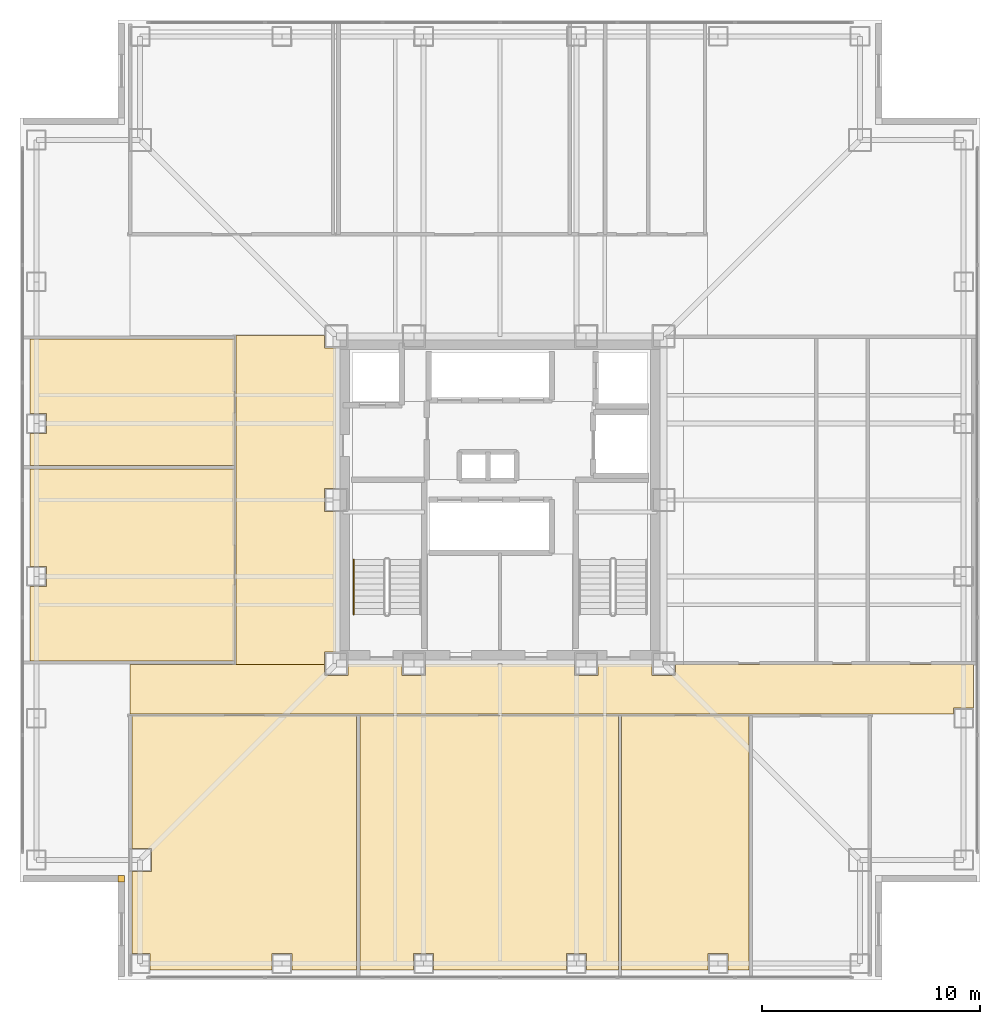
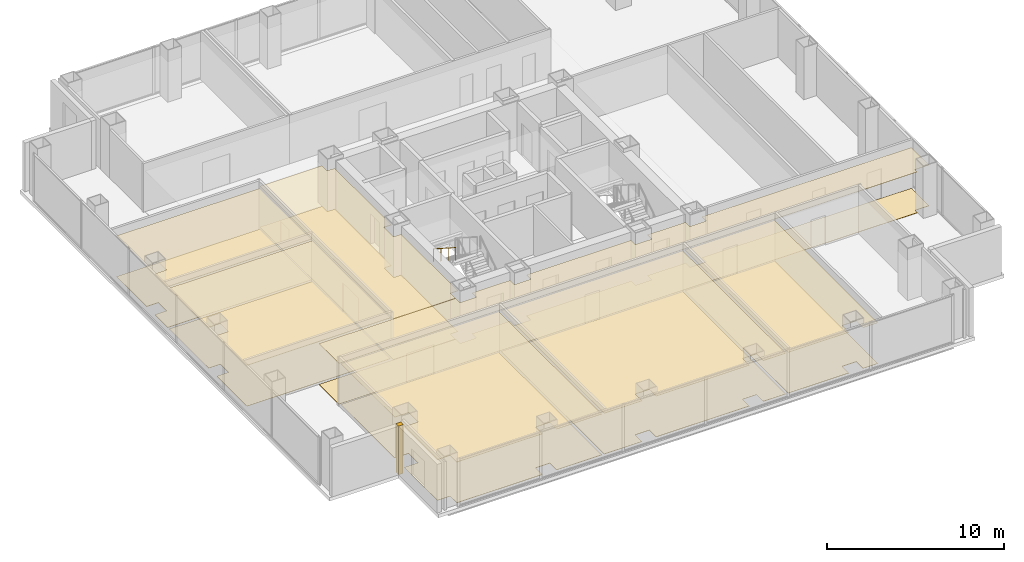
# One storey, part 12 of 14: 15 coverings, 1 railing.
"""IFC4 building model written with IfcOpenShell, lengths in metres."""

from ifc_helpers import new_model, si_unit, direction, frame, origin, origin_2d, place, context, subcontext, project, spatial, polyline, circle, outline, extrude, material, layer, layer_set, type_object, element, save


model = new_model("IFC4")

# Units and contexts
model_context = context("Model", 3, precision=1e-05, world=origin(), true_north=direction((0.0, 1.0)))
body_context = subcontext(model_context, "Body", "Model", "MODEL_VIEW")
ifc_project = project(units=[si_unit("LENGTHUNIT", "METRE"), si_unit("AREAUNIT", "SQUARE_METRE"), si_unit("VOLUMEUNIT", "CUBIC_METRE"), si_unit("PLANEANGLEUNIT", "RADIAN"), si_unit("MASSUNIT", "GRAM", prefix="KILO")], contexts=[model_context])

# Site, building, storey
site_placement = place(None, origin())
site = spatial("IfcSite", under=ifc_project, at=site_placement, CompositionType="ELEMENT")
building_placement = place(site_placement, origin())
building = spatial("IfcBuilding", under=site, at=building_placement, Name="Trevonay Congress Spire", CompositionType="ELEMENT")
storey_placement = place(building_placement, frame((0.0, 0.0, 119.199951171875)))
storey = spatial("IfcBuildingStorey", under=building, at=storey_placement, Name="L30", CompositionType="ELEMENT", Elevation=119.199951171875)

# Coverings
ifc_material_1 = material(Name="Acoustic Mineral Fibre Board", Category="gypsum")
ifc_layer_1 = layer(ifc_material_1, 0.02490234375, Name="Acoustic Mineral Fibre Board")
ifc_layer_set_1 = layer_set([ifc_layer_1], Name="Acoustic Mineral Fibre Board")
covering_type_1 = type_object("IfcCoveringType", Name="COV-CEIL-ACOUSTIC", PredefinedType="CEILING", material=ifc_layer_set_1)
covering_1_placement = place(storey_placement, frame((0.0, 0.0, 2.81005859375)))
element("IfcCovering", 1, at=covering_1_placement, inside=storey, type_object=covering_type_1, Name="L30 Congress South Spine Corridor acoustic suspended ceiling", PredefinedType="CEILING", context=body_context, shape_type="SweptSolid", body=[
    extrude(outline(polyline([(-16.949951171875, -9.800048828125), (-16.949951171875, -7.550048828125), (-8.034912109375, -7.550048828125), (-8.034912109375, -8.034912109375), (-6.965087890625, -8.034912109375), (-6.965087890625, -7.550048828125), (-4.485107421875, -7.550048828125), (-4.485107421875, -8.034912109375), (-3.4150390625, -8.034912109375), (-3.4150390625, -7.550048828125), (3.4150390625, -7.550048828125), (3.4150390625, -8.034912109375), (4.485107421875, -8.034912109375), (4.485107421875, -7.550048828125), (6.965087890625, -7.550048828125), (6.965087890625, -8.034912109375), (8.034912109375, -8.034912109375), (8.034912109375, -7.550048828125), (21.699951171875, -7.550048828125), (21.699951171875, -9.5400390625), (20.7900390625, -9.5400390625), (20.7900390625, -9.800048828125), (-16.949951171875, -9.800048828125)])), origin(), (0.0, 0.0, 1.0), 0.02490234375),
])
covering_2_placement = place(storey_placement, frame((0.0, 0.0, 2.81005859375)))
element("IfcCovering", 2, at=covering_2_placement, inside=storey, type_object=covering_type_1, Name="L30 West Sky Promenade Salon acoustic suspended ceiling", PredefinedType="CEILING", context=body_context, shape_type="SweptSolid", body=[
    extrude(outline(polyline([(-12.10009765625, 7.550048828125), (-8.034912109375, 7.550048828125), (-8.034912109375, 6.965087890625), (-7.550048828125, 6.965087890625), (-7.550048828125, 0.534912109375), (-8.034912109375, 0.534912109375), (-8.034912109375, -0.534912109375), (-7.550048828125, -0.534912109375), (-7.550048828125, -6.965087890625), (-8.034912109375, -6.965087890625), (-8.034912109375, -7.5400390625), (-12.10009765625, -7.5400390625), (-12.10009765625, 7.550048828125)])), origin(), (0.0, 0.0, 1.0), 0.02490234375),
])
covering_3_placement = place(storey_placement, frame((0.0, 0.0, 2.81005859375)))
element("IfcCovering", 3, at=covering_3_placement, inside=storey, type_object=covering_type_1, Name="L30 Delegates Dining Restaurant West acoustic suspended ceiling", PredefinedType="CEILING", context=body_context, shape_type="SweptSolid", body=[
    extrude(outline(polyline([(-16.0400390625, -21.550048828125), (-16.0400390625, -20.7900390625), (-16.8701171875, -20.7900390625), (-16.8701171875, -17.034912109375), (-15.965087890625, -17.034912109375), (-15.965087890625, -15.965087890625), (-16.8701171875, -15.965087890625), (-16.8701171875, -9.8798828125), (-6.580078125, -9.8798828125), (-6.580078125, -21.550048828125), (-9.5400390625, -21.550048828125), (-9.5400390625, -20.7900390625), (-10.4599609375, -20.7900390625), (-10.4599609375, -21.550048828125), (-16.0400390625, -21.550048828125)])), origin(), (0.0, 0.0, 1.0), 0.02490234375),
])
covering_4_placement = place(storey_placement, frame((0.0, 0.0, 2.81005859375)))
element("IfcCovering", 4, at=covering_4_placement, inside=storey, type_object=covering_type_1, Name="L30 Culinary Archive Office acoustic suspended ceiling", PredefinedType="CEILING", context=body_context, shape_type="SweptSolid", body=[
    extrude(outline(polyline([(-6.419921875, -21.550048828125), (-6.419921875, -9.8798828125), (5.419921875, -9.8798828125), (5.419921875, -21.550048828125), (3.9599609375, -21.550048828125), (3.9599609375, -20.7900390625), (3.0400390625, -20.7900390625), (3.0400390625, -21.550048828125), (-3.0400390625, -21.550048828125), (-3.0400390625, -20.7900390625), (-3.9599609375, -20.7900390625), (-3.9599609375, -21.550048828125), (-6.419921875, -21.550048828125)])), origin(), (0.0, 0.0, 1.0), 0.02490234375),
])
covering_5_placement = place(storey_placement, frame((0.0, 0.0, 2.81005859375)))
element("IfcCovering", 5, at=covering_5_placement, inside=storey, type_object=covering_type_1, Name="L30 Main Finishing Kitchen acoustic suspended ceiling", PredefinedType="CEILING", context=body_context, shape_type="SweptSolid", body=[
    extrude(outline(polyline([(5.580078125, -21.550048828125), (5.580078125, -9.8798828125), (11.419921875, -9.8798828125), (11.419921875, -21.550048828125), (10.4599609375, -21.550048828125), (10.4599609375, -20.7900390625), (9.5400390625, -20.7900390625), (9.5400390625, -21.550048828125), (5.580078125, -21.550048828125)])), origin(), (0.0, 0.0, 1.0), 0.02490234375),
])
covering_6_placement = place(storey_placement, frame((0.0, 0.0, 2.81005859375)))
element("IfcCovering", 6, at=covering_6_placement, inside=storey, type_object=covering_type_1, Name="L30 Delegates Club Lounge acoustic suspended ceiling", PredefinedType="CEILING", context=body_context, shape_type="SweptSolid", body=[
    extrude(outline(polyline([(-21.550048828125, 1.419921875), (-12.179931640625, 1.419921875), (-12.179931640625, -7.3701171875), (-21.550048828125, -7.3701171875), (-21.550048828125, -3.9599609375), (-20.7900390625, -3.9599609375), (-20.7900390625, -3.0400390625), (-21.550048828125, -3.0400390625), (-21.550048828125, 1.419921875)])), origin(), (0.0, 0.0, 1.0), 0.02490234375),
])
covering_7_placement = place(storey_placement, frame((0.0, 0.0, 2.81005859375)))
element("IfcCovering", 7, at=covering_7_placement, inside=storey, type_object=covering_type_1, Name="L30 Sommelier Bar acoustic suspended ceiling", PredefinedType="CEILING", context=body_context, shape_type="SweptSolid", body=[
    extrude(outline(polyline([(-21.550048828125, 7.3701171875), (-12.179931640625, 7.3701171875), (-12.179931640625, 1.580078125), (-21.550048828125, 1.580078125), (-21.550048828125, 3.0400390625), (-20.7900390625, 3.0400390625), (-20.7900390625, 3.9599609375), (-21.550048828125, 3.9599609375), (-21.550048828125, 7.3701171875)])), origin(), (0.0, 0.0, 1.0), 0.02490234375),
])
ifc_material_2 = material(Name="Polished Granite Floor Tile", Category="masonry")
ifc_layer_2 = layer(ifc_material_2, 0.02001953125, Name="Polished Granite Floor Tile")
ifc_layer_set_2 = layer_set([ifc_layer_2], Name="Polished Granite Floor Tile")
covering_type_2 = type_object("IfcCoveringType", Name="COV-FLOOR-STONE", PredefinedType="FLOORING", material=ifc_layer_set_2)
covering_8_placement = place(storey_placement, origin())
element("IfcCovering", 8, at=covering_8_placement, inside=storey, type_object=covering_type_2, Name="L30 Congress South Spine Corridor floor finish", PredefinedType="FLOORING", context=body_context, shape_type="SweptSolid", body=[
    extrude(outline(polyline([(-16.949951171875, -9.800048828125), (-16.949951171875, -7.550048828125), (-8.034912109375, -7.550048828125), (-8.034912109375, -8.034912109375), (-6.965087890625, -8.034912109375), (-6.965087890625, -7.550048828125), (-4.485107421875, -7.550048828125), (-4.485107421875, -8.034912109375), (-3.4150390625, -8.034912109375), (-3.4150390625, -7.550048828125), (3.4150390625, -7.550048828125), (3.4150390625, -8.034912109375), (4.485107421875, -8.034912109375), (4.485107421875, -7.550048828125), (6.965087890625, -7.550048828125), (6.965087890625, -8.034912109375), (8.034912109375, -8.034912109375), (8.034912109375, -7.550048828125), (21.699951171875, -7.550048828125), (21.699951171875, -9.5400390625), (20.7900390625, -9.5400390625), (20.7900390625, -9.800048828125), (-16.949951171875, -9.800048828125)])), origin(), (0.0, 0.0, 1.0), 0.02001953125),
])
covering_9_placement = place(storey_placement, origin())
element("IfcCovering", 9, at=covering_9_placement, inside=storey, type_object=covering_type_2, Name="L30 Delegates Dining Restaurant West floor finish", PredefinedType="FLOORING", context=body_context, shape_type="SweptSolid", body=[
    extrude(outline(polyline([(-16.0400390625, -21.550048828125), (-16.0400390625, -20.7900390625), (-16.8701171875, -20.7900390625), (-16.8701171875, -17.034912109375), (-15.965087890625, -17.034912109375), (-15.965087890625, -15.965087890625), (-16.8701171875, -15.965087890625), (-16.8701171875, -9.8798828125), (-6.580078125, -9.8798828125), (-6.580078125, -21.550048828125), (-9.5400390625, -21.550048828125), (-9.5400390625, -20.7900390625), (-10.4599609375, -20.7900390625), (-10.4599609375, -21.550048828125), (-16.0400390625, -21.550048828125)])), origin(), (0.0, 0.0, 1.0), 0.02001953125),
])
covering_10_placement = place(storey_placement, origin())
element("IfcCovering", 10, at=covering_10_placement, inside=storey, type_object=covering_type_2, Name="L30 Main Finishing Kitchen floor finish", PredefinedType="FLOORING", context=body_context, shape_type="SweptSolid", body=[
    extrude(outline(polyline([(5.580078125, -21.550048828125), (5.580078125, -9.8798828125), (11.419921875, -9.8798828125), (11.419921875, -21.550048828125), (10.4599609375, -21.550048828125), (10.4599609375, -20.7900390625), (9.5400390625, -20.7900390625), (9.5400390625, -21.550048828125), (5.580078125, -21.550048828125)])), origin(), (0.0, 0.0, 1.0), 0.02001953125),
])
covering_11_placement = place(storey_placement, origin())
element("IfcCovering", 11, at=covering_11_placement, inside=storey, type_object=covering_type_2, Name="L30 Sommelier Bar floor finish", PredefinedType="FLOORING", context=body_context, shape_type="SweptSolid", body=[
    extrude(outline(polyline([(-21.550048828125, 7.3701171875), (-12.179931640625, 7.3701171875), (-12.179931640625, 1.580078125), (-21.550048828125, 1.580078125), (-21.550048828125, 3.0400390625), (-20.7900390625, 3.0400390625), (-20.7900390625, 3.9599609375), (-21.550048828125, 3.9599609375), (-21.550048828125, 7.3701171875)])), origin(), (0.0, 0.0, 1.0), 0.02001953125),
])
ifc_material_3 = material(Name="Engineered Oak Flooring", Category="wood")
ifc_layer_3 = layer(ifc_material_3, 0.01806640625, Name="Engineered Oak Flooring")
ifc_layer_set_3 = layer_set([ifc_layer_3], Name="Engineered Oak Flooring")
covering_type_3 = type_object("IfcCoveringType", Name="COV-FLOOR-TIMBER", PredefinedType="FLOORING", material=ifc_layer_set_3)
covering_12_placement = place(storey_placement, origin())
element("IfcCovering", 12, at=covering_12_placement, inside=storey, type_object=covering_type_3, Name="L30 West Sky Promenade Salon floor finish", PredefinedType="FLOORING", context=body_context, shape_type="SweptSolid", body=[
    extrude(outline(polyline([(-12.10009765625, 7.550048828125), (-8.034912109375, 7.550048828125), (-8.034912109375, 6.965087890625), (-7.550048828125, 6.965087890625), (-7.550048828125, 0.534912109375), (-8.034912109375, 0.534912109375), (-8.034912109375, -0.534912109375), (-7.550048828125, -0.534912109375), (-7.550048828125, -6.965087890625), (-8.034912109375, -6.965087890625), (-8.034912109375, -7.5400390625), (-12.10009765625, -7.5400390625), (-12.10009765625, 7.550048828125)])), origin(), (0.0, 0.0, 1.0), 0.01806640625),
])
covering_13_placement = place(storey_placement, origin())
element("IfcCovering", 13, at=covering_13_placement, inside=storey, type_object=covering_type_3, Name="L30 Culinary Archive Office floor finish", PredefinedType="FLOORING", context=body_context, shape_type="SweptSolid", body=[
    extrude(outline(polyline([(-6.419921875, -21.550048828125), (-6.419921875, -9.8798828125), (5.419921875, -9.8798828125), (5.419921875, -21.550048828125), (3.9599609375, -21.550048828125), (3.9599609375, -20.7900390625), (3.0400390625, -20.7900390625), (3.0400390625, -21.550048828125), (-3.0400390625, -21.550048828125), (-3.0400390625, -20.7900390625), (-3.9599609375, -20.7900390625), (-3.9599609375, -21.550048828125), (-6.419921875, -21.550048828125)])), origin(), (0.0, 0.0, 1.0), 0.01806640625),
])
covering_14_placement = place(storey_placement, origin())
element("IfcCovering", 14, at=covering_14_placement, inside=storey, type_object=covering_type_3, Name="L30 Delegates Club Lounge floor finish", PredefinedType="FLOORING", context=body_context, shape_type="SweptSolid", body=[
    extrude(outline(polyline([(-21.550048828125, 1.419921875), (-12.179931640625, 1.419921875), (-12.179931640625, -7.3701171875), (-21.550048828125, -7.3701171875), (-21.550048828125, -3.9599609375), (-20.7900390625, -3.9599609375), (-20.7900390625, -3.0400390625), (-21.550048828125, -3.0400390625), (-21.550048828125, 1.419921875)])), origin(), (0.0, 0.0, 1.0), 0.01806640625),
])
ifc_material_4 = material(Name="Pale Anodised Aluminium EN AW-6063-T6", Category="aluminium")
ifc_layer_4 = layer(ifc_material_4, 0.0400390625, Name="Pale Anodised Aluminium EN AW-6063-T6")
ifc_layer_set_4 = layer_set([ifc_layer_4], Name="Pale Anodised Aluminium EN AW-6063-T6")
covering_type_4 = type_object("IfcCoveringType", Name="COV-SPANDREL-PALE-METAL", PredefinedType="CLADDING", material=ifc_layer_set_4)
covering_15_placement = place(storey_placement, origin())
element("IfcCovering", 15, at=covering_15_placement, inside=storey, type_object=covering_type_4, Name="L30 SW re-entrant notch corner closure trim", PredefinedType="CLADDING", context=body_context, shape_type="SweptSolid", body=[
    extrude(outline(polyline([(-17.5, -17.5), (-17.199951171875, -17.5), (-17.199951171875, -17.199951171875), (-17.5, -17.199951171875), (-17.5, -17.5)])), origin(), (0.0, 0.0, 1.0), 3.360107421875),
])

# Railing
railing_type = type_object("IfcRailingType", Name="RAL-STAIR-HANDRAIL", PredefinedType="HANDRAIL", material=ifc_material_4)
railing_placement = place(storey_placement, frame((-6.699951171875, -2.72998046875, 1.97998046875)))
element("IfcRailing", 16, at=railing_placement, inside=storey, type_object=railing_type, Name="L30 ST-1 stair handrail 2", PredefinedType="HANDRAIL", context=body_context, shape_type="SweptSolid", body=[
    extrude(circle(Radius=0.02392578125, at=origin_2d()), frame((0.0, 0.0, 0.8759765625), z_axis=(0.0, -0.841162588446, 0.540782303519), x_axis=(1.0, 0.0, 0.0)), (0.0, 0.0, 1.0), 2.995849609375),
    extrude(circle(Radius=0.02099609375, at=origin_2d()), origin(), (0.0, 0.0, 1.0), 0.851806640625),
    extrude(circle(Radius=0.02099609375, at=origin_2d()), frame((0.0, -0.840087890625, 0.5400390625)), (0.0, 0.0, 1.0), 0.851806640625),
    extrude(circle(Radius=0.02099609375, at=origin_2d()), frame((0.0, -1.679931640625, 1.080078125)), (0.0, 0.0, 1.0), 0.851806640625),
    extrude(circle(Radius=0.02099609375, at=origin_2d()), frame((0.0, -2.52001953125, 1.6201171875)), (0.0, 0.0, 1.0), 0.851806640625),
])

save(model, "model.ifc")
